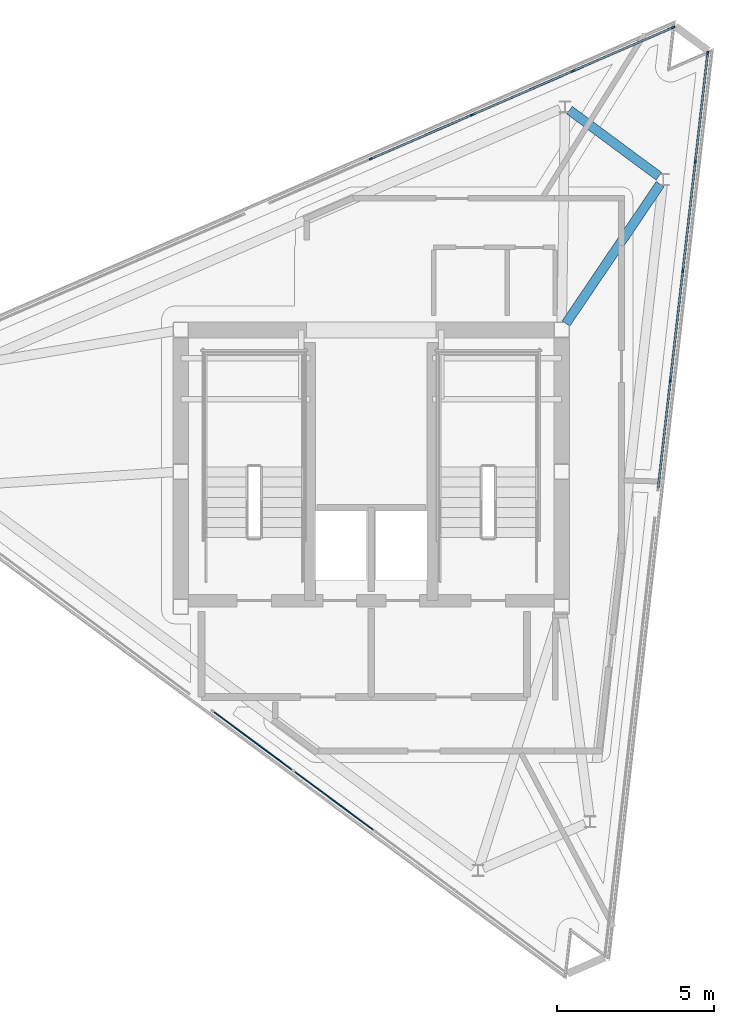
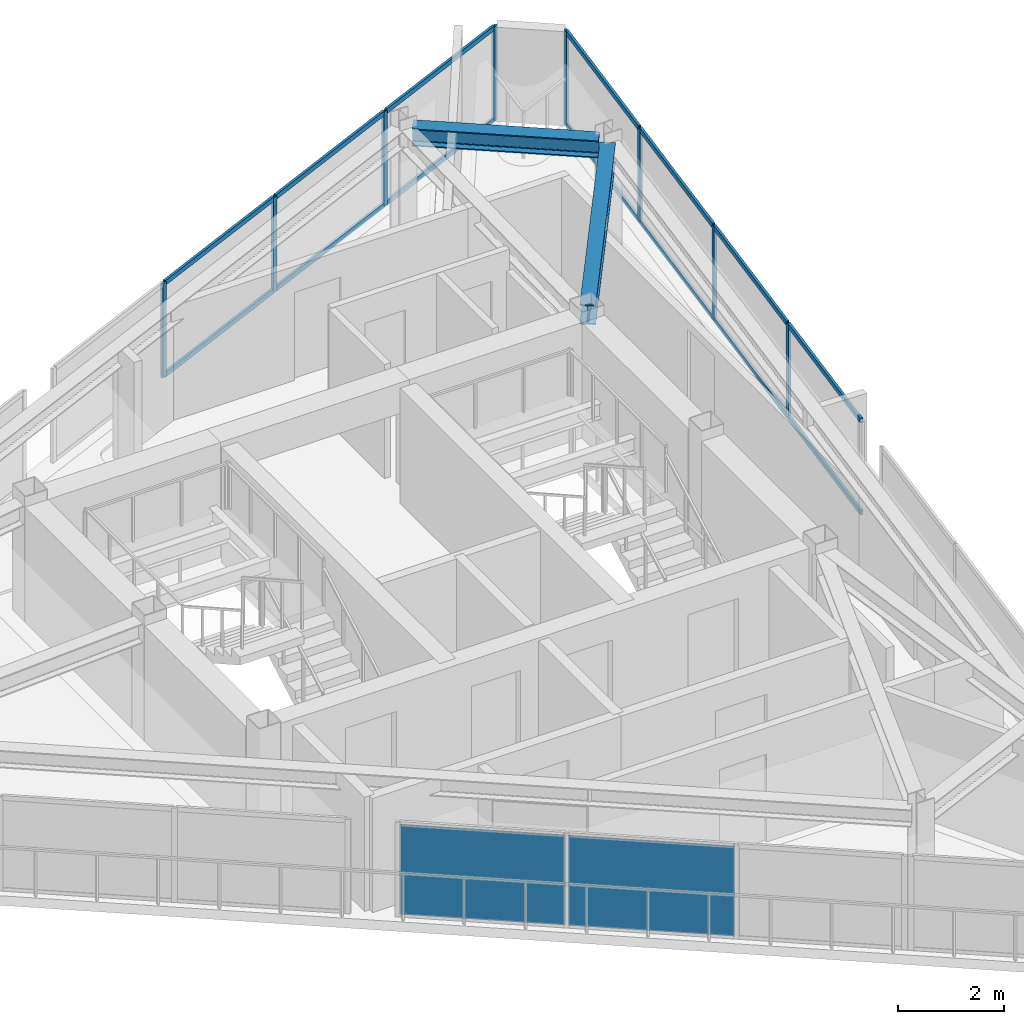
# One storey, part 5 of 10: 22 members, 2 beams, 2 plates, 3 elements without a shape of their own.
"""IFC4 building model written with IfcOpenShell, lengths in metres."""

from ifc_helpers import new_model, si_unit, direction, frame, origin, origin_2d, place, context, subcontext, project, spatial, rectangle, i_section, extrude, material, layer, layer_set, material_profile, profile_set, type_object, element, aggregate, save


model = new_model("IFC4")

# Units and contexts
model_context = context("Model", 3, precision=1e-05, world=origin(), true_north=direction((0.0, 1.0)))
body_context = subcontext(model_context, "Body", "Model", "MODEL_VIEW")
ifc_project = project(units=[si_unit("LENGTHUNIT", "METRE"), si_unit("AREAUNIT", "SQUARE_METRE"), si_unit("VOLUMEUNIT", "CUBIC_METRE"), si_unit("PLANEANGLEUNIT", "RADIAN"), si_unit("MASSUNIT", "GRAM", prefix="KILO")], contexts=[model_context])

# Site, building, storey
site_placement = place(None, origin())
site = spatial("IfcSite", under=ifc_project, at=site_placement, CompositionType="ELEMENT")
building_placement = place(site_placement, origin())
building = spatial("IfcBuilding", under=site, at=building_placement, Name="Rocaltana Carrier Exchange", CompositionType="ELEMENT")
storey_placement = place(building_placement, frame((0.0, 0.0, 252.0)))
storey = spatial("IfcBuildingStorey", under=building, at=storey_placement, Name="L80", CompositionType="ELEMENT", Elevation=252.0)

# Curtain wall, members
ifc_material_1 = material(Name="Aluminium 6063-T6", Category="aluminium")
ifc_layer_1 = layer(ifc_material_1, 0.110107421875)
ifc_layer_set_1 = layer_set([ifc_layer_1], Name="Aluminium 6063-T6")
curtain_wall_type = type_object("IfcCurtainWallType", Name="Crown Lantern Faceted Curtain Wall CW-06", PredefinedType="NOTDEFINED", material=ifc_layer_set_1)
curtain_wall_1_placement = place(storey_placement, origin())
curtain_wall_1 = element("IfcCurtainWall", 1, at=curtain_wall_1_placement, inside=storey, type_object=curtain_wall_type, Name="L80 CW-06 Run CW06-L80-F1S2", PredefinedType="NOTDEFINED")
ifc_material_2 = material(Name="Aluminium 6063-T6", Category="aluminium")
ifc_material_profile_1 = material_profile(ifc_material_2, rectangle(XDim=0.054931640625, YDim=0.110107421875, at=origin_2d()), Name="AL-55X110")
ifc_profile_set_1 = profile_set([ifc_material_profile_1], Name="Aluminium 6063-T6")
member_type_1 = type_object("IfcMemberType", Name="CW-06 Mullion AL-55X110", PredefinedType="MULLION", material=ifc_profile_set_1)
member_1_placement = place(storey_placement, frame((9.50390625, 2.892578125, 0.0), z_axis=(0.0, 0.0, 1.0), x_axis=(-0.99357221167, 0.113200089213, 0.0)))
member_1 = element("IfcMember", 2, at=member_1_placement, type_object=member_type_1, Name="CW-06 mullion 2", PredefinedType="MULLION", context=body_context, shape_type="SweptSolid", body=[
    extrude(rectangle(XDim=0.054931640625, YDim=0.110107421875, at=origin_2d()), origin(), (0.0, 0.0, 1.0), 2.16796875),
])
member_2_placement = place(storey_placement, frame((9.900146484375, 6.3701171875, 0.0), z_axis=(0.0, 0.0, 1.0), x_axis=(-0.99357221167, 0.113200089213, 0.0)))
member_2 = element("IfcMember", 3, at=member_2_placement, type_object=member_type_1, Name="CW-06 mullion 3", PredefinedType="MULLION", context=body_context, shape_type="SweptSolid", body=[
    extrude(rectangle(XDim=0.054931640625, YDim=0.110107421875, at=origin_2d()), origin(), (0.0, 0.0, 1.0), 2.16796875),
])
member_3_placement = place(storey_placement, frame((10.29638671875, 9.84765625, 0.0), z_axis=(0.0, 0.0, 1.0), x_axis=(-0.99357221167, 0.113200089213, 0.0)))
member_3 = element("IfcMember", 4, at=member_3_placement, type_object=member_type_1, Name="CW-06 mullion 4", PredefinedType="MULLION", context=body_context, shape_type="SweptSolid", body=[
    extrude(rectangle(XDim=0.054931640625, YDim=0.110107421875, at=origin_2d()), origin(), (0.0, 0.0, 1.0), 2.16796875),
])
member_4_placement = place(storey_placement, frame((10.689453125, 13.2978515625, 0.0), z_axis=(0.0, 0.0, 1.0), x_axis=(-0.99357221167, 0.113200089213, 0.0)))
member_4 = element("IfcMember", 5, at=member_4_placement, type_object=member_type_1, Name="CW-06 mullion 5", PredefinedType="MULLION", context=body_context, shape_type="SweptSolid", body=[
    extrude(rectangle(XDim=0.054931640625, YDim=0.110107421875, at=origin_2d()), origin(), (0.0, 0.0, 1.0), 2.16796875),
])

curtain_wall_2_placement = place(storey_placement, origin())
curtain_wall_2 = element("IfcCurtainWall", 6, at=curtain_wall_2_placement, inside=storey, type_object=curtain_wall_type, Name="L80 CW-06 Run CW06-L80-F2S1", PredefinedType="NOTDEFINED")
member_5_placement = place(storey_placement, frame((9.591552734375, 14.1103515625, 0.0), z_axis=(0.0, 0.0, 1.0), x_axis=(0.398742304834, -0.917063015466, 0.0)))
member_5 = element("IfcMember", 7, at=member_5_placement, type_object=member_type_1, Name="CW-06 mullion 1", PredefinedType="MULLION", context=body_context, shape_type="SweptSolid", body=[
    extrude(rectangle(XDim=0.054931640625, YDim=0.110107421875, at=origin_2d()), origin(), (0.0, 0.0, 1.0), 2.16796875),
])
member_6_placement = place(storey_placement, frame((6.406982421875, 12.7255859375, 0.0), z_axis=(0.0, 0.0, 1.0), x_axis=(0.398742304834, -0.917063015466, 0.0)))
member_6 = element("IfcMember", 8, at=member_6_placement, type_object=member_type_1, Name="CW-06 mullion 2", PredefinedType="MULLION", context=body_context, shape_type="SweptSolid", body=[
    extrude(rectangle(XDim=0.054931640625, YDim=0.110107421875, at=origin_2d()), origin(), (0.0, 0.0, 1.0), 2.16796875),
])
member_7_placement = place(storey_placement, frame((3.197265625, 11.330078125, 0.0), z_axis=(0.0, 0.0, 1.0), x_axis=(0.398742304834, -0.917063015466, 0.0)))
member_7 = element("IfcMember", 9, at=member_7_placement, type_object=member_type_1, Name="CW-06 mullion 3", PredefinedType="MULLION", context=body_context, shape_type="SweptSolid", body=[
    extrude(rectangle(XDim=0.054931640625, YDim=0.110107421875, at=origin_2d()), origin(), (0.0, 0.0, 1.0), 2.16796875),
])
member_8_placement = place(storey_placement, frame((-0.012451171875, 9.934326171875, 0.0), z_axis=(0.0, 0.0, 1.0), x_axis=(0.398742304834, -0.917063015466, 0.0)))
member_8 = element("IfcMember", 10, at=member_8_placement, type_object=member_type_1, Name="CW-06 mullion 4", PredefinedType="MULLION", context=body_context, shape_type="SweptSolid", body=[
    extrude(rectangle(XDim=0.054931640625, YDim=0.110107421875, at=origin_2d()), origin(), (0.0, 0.0, 1.0), 2.16796875),
])

# Member
ifc_material_3 = material(Name="Aluminium 6063-T6", Category="aluminium")
ifc_material_profile_2 = material_profile(ifc_material_3, rectangle(XDim=0.054931640625, YDim=0.110107421875, at=origin_2d()), Name="AL-55X110")
ifc_profile_set_2 = profile_set([ifc_material_profile_2], Name="Aluminium 6063-T6")
member_type_2 = type_object("IfcMemberType", Name="CW-06 Transom AL-55X110", PredefinedType="USERDEFINED", material=ifc_profile_set_2)
member_9_placement = place(storey_placement, frame((9.114013671875, -0.5302734375, 0.027587890625), z_axis=(0.113151708435, 0.993577722616, 0.0), x_axis=(-0.993577722616, 0.113151708435, 0.0)))
member_9 = element("IfcMember", 11, at=member_9_placement, type_object=member_type_2, Name="CW-06 transom 1.1", ObjectType="TRANSOM", PredefinedType="USERDEFINED", context=body_context, shape_type="SweptSolid", body=[
    extrude(rectangle(XDim=0.054931640625, YDim=0.110107421875, at=origin_2d()), origin(), (0.0, 0.0, 1.0), 3.417724609375),
])

member_10_placement = place(storey_placement, frame((9.114013671875, -0.5302734375, 2.140380859375), z_axis=(0.113151708435, 0.993577722616, 0.0), x_axis=(-0.993577722616, 0.113151708435, 0.0)))
member_10 = element("IfcMember", 12, at=member_10_placement, type_object=member_type_2, Name="CW-06 transom 1.2", ObjectType="TRANSOM", PredefinedType="USERDEFINED", context=body_context, shape_type="SweptSolid", body=[
    extrude(rectangle(XDim=0.054931640625, YDim=0.110107421875, at=origin_2d()), origin(), (0.0, 0.0, 1.0), 3.417724609375),
])

member_11_placement = place(storey_placement, frame((9.507080078125, 2.919921875, 0.027587890625), z_axis=(0.113176822748, 0.993574862198, 0.0), x_axis=(-0.993574862198, 0.113176822748, 0.0)))
member_11 = element("IfcMember", 13, at=member_11_placement, type_object=member_type_2, Name="CW-06 transom 2.1", ObjectType="TRANSOM", PredefinedType="USERDEFINED", context=body_context, shape_type="SweptSolid", body=[
    extrude(rectangle(XDim=0.054931640625, YDim=0.110107421875, at=origin_2d()), origin(), (0.0, 0.0, 1.0), 3.445068359375),
])

member_12_placement = place(storey_placement, frame((9.507080078125, 2.919921875, 2.140380859375), z_axis=(0.113176822748, 0.993574862198, 0.0), x_axis=(-0.993574862198, 0.113176822748, 0.0)))
member_12 = element("IfcMember", 14, at=member_12_placement, type_object=member_type_2, Name="CW-06 transom 2.2", ObjectType="TRANSOM", PredefinedType="USERDEFINED", context=body_context, shape_type="SweptSolid", body=[
    extrude(rectangle(XDim=0.054931640625, YDim=0.110107421875, at=origin_2d()), origin(), (0.0, 0.0, 1.0), 3.445068359375),
])

member_13_placement = place(storey_placement, frame((9.9033203125, 6.3974609375, 0.027587890625), z_axis=(0.113176822748, 0.993574862198, 0.0), x_axis=(-0.993574862198, 0.113176822748, 0.0)))
member_13 = element("IfcMember", 15, at=member_13_placement, type_object=member_type_2, Name="CW-06 transom 3.1", ObjectType="TRANSOM", PredefinedType="USERDEFINED", context=body_context, shape_type="SweptSolid", body=[
    extrude(rectangle(XDim=0.054931640625, YDim=0.110107421875, at=origin_2d()), origin(), (0.0, 0.0, 1.0), 3.445068359375),
])

member_14_placement = place(storey_placement, frame((9.9033203125, 6.3974609375, 2.140380859375), z_axis=(0.113176822748, 0.993574862198, 0.0), x_axis=(-0.993574862198, 0.113176822748, 0.0)))
member_14 = element("IfcMember", 16, at=member_14_placement, type_object=member_type_2, Name="CW-06 transom 3.2", ObjectType="TRANSOM", PredefinedType="USERDEFINED", context=body_context, shape_type="SweptSolid", body=[
    extrude(rectangle(XDim=0.054931640625, YDim=0.110107421875, at=origin_2d()), origin(), (0.0, 0.0, 1.0), 3.445068359375),
])

member_15_placement = place(storey_placement, frame((10.29931640625, 9.875, 0.027587890625), z_axis=(0.113230263574, 0.993568773367, 0.0), x_axis=(-0.993568773367, 0.113230263574, 0.0)))
member_15 = element("IfcMember", 17, at=member_15_placement, type_object=member_type_2, Name="CW-06 transom 4.1", ObjectType="TRANSOM", PredefinedType="USERDEFINED", context=body_context, shape_type="SweptSolid", body=[
    extrude(rectangle(XDim=0.054931640625, YDim=0.110107421875, at=origin_2d()), origin(), (0.0, 0.0, 1.0), 3.41748046875),
])

member_16_placement = place(storey_placement, frame((10.29931640625, 9.875, 2.140380859375), z_axis=(0.113230263574, 0.993568773367, 0.0), x_axis=(-0.993568773367, 0.113230263574, 0.0)))
member_16 = element("IfcMember", 18, at=member_16_placement, type_object=member_type_2, Name="CW-06 transom 4.2", ObjectType="TRANSOM", PredefinedType="USERDEFINED", context=body_context, shape_type="SweptSolid", body=[
    extrude(rectangle(XDim=0.054931640625, YDim=0.110107421875, at=origin_2d()), origin(), (0.0, 0.0, 1.0), 3.41748046875),
])

aggregate(curtain_wall_1, [member_1, member_2, member_3, member_4, member_9, member_10, member_11, member_12, member_13, member_14, member_15, member_16])

member_17_placement = place(storey_placement, frame((9.56640625, 14.099365234375, 0.027587890625), z_axis=(-0.917051883427, -0.398767906309, 0.0), x_axis=(0.398767906309, -0.917051883427, 0.0)))
member_17 = element("IfcMember", 19, at=member_17_placement, type_object=member_type_2, Name="CW-06 transom 1.1", ObjectType="TRANSOM", PredefinedType="USERDEFINED", context=body_context, shape_type="SweptSolid", body=[
    extrude(rectangle(XDim=0.054931640625, YDim=0.110107421875, at=origin_2d()), origin(), (0.0, 0.0, 1.0), 3.41748046875),
])

member_18_placement = place(storey_placement, frame((9.56640625, 14.099365234375, 2.140380859375), z_axis=(-0.917051883427, -0.398767906309, 0.0), x_axis=(0.398767906309, -0.917051883427, 0.0)))
member_18 = element("IfcMember", 20, at=member_18_placement, type_object=member_type_2, Name="CW-06 transom 1.2", ObjectType="TRANSOM", PredefinedType="USERDEFINED", context=body_context, shape_type="SweptSolid", body=[
    extrude(rectangle(XDim=0.054931640625, YDim=0.110107421875, at=origin_2d()), origin(), (0.0, 0.0, 1.0), 3.41748046875),
])

member_19_placement = place(storey_placement, frame((6.3818359375, 12.714599609375, 0.027587890625), z_axis=(-0.917072309692, -0.398720928464, 0.0), x_axis=(0.398720928464, -0.917072309692, 0.0)))
member_19 = element("IfcMember", 21, at=member_19_placement, type_object=member_type_2, Name="CW-06 transom 2.1", ObjectType="TRANSOM", PredefinedType="USERDEFINED", context=body_context, shape_type="SweptSolid", body=[
    extrude(rectangle(XDim=0.054931640625, YDim=0.110107421875, at=origin_2d()), origin(), (0.0, 0.0, 1.0), 3.44482421875),
])

member_20_placement = place(storey_placement, frame((6.3818359375, 12.714599609375, 2.140380859375), z_axis=(-0.917072309692, -0.398720928464, 0.0), x_axis=(0.398720928464, -0.917072309692, 0.0)))
member_20 = element("IfcMember", 22, at=member_20_placement, type_object=member_type_2, Name="CW-06 transom 2.2", ObjectType="TRANSOM", PredefinedType="USERDEFINED", context=body_context, shape_type="SweptSolid", body=[
    extrude(rectangle(XDim=0.054931640625, YDim=0.110107421875, at=origin_2d()), origin(), (0.0, 0.0, 1.0), 3.44482421875),
])

member_21_placement = place(storey_placement, frame((3.172119140625, 11.319091796875, 0.027587890625), z_axis=(-0.917046394043, -0.398780530083, 0.0), x_axis=(0.398780530083, -0.917046394043, 0.0)))
member_21 = element("IfcMember", 23, at=member_21_placement, type_object=member_type_2, Name="CW-06 transom 3.1", ObjectType="TRANSOM", PredefinedType="USERDEFINED", context=body_context, shape_type="SweptSolid", body=[
    extrude(rectangle(XDim=0.054931640625, YDim=0.110107421875, at=origin_2d()), origin(), (0.0, 0.0, 1.0), 3.445068359375),
])

member_22_placement = place(storey_placement, frame((3.172119140625, 11.319091796875, 2.140380859375), z_axis=(-0.917046394043, -0.398780530083, 0.0), x_axis=(0.398780530083, -0.917046394043, 0.0)))
member_22 = element("IfcMember", 24, at=member_22_placement, type_object=member_type_2, Name="CW-06 transom 3.2", ObjectType="TRANSOM", PredefinedType="USERDEFINED", context=body_context, shape_type="SweptSolid", body=[
    extrude(rectangle(XDim=0.054931640625, YDim=0.110107421875, at=origin_2d()), origin(), (0.0, 0.0, 1.0), 3.445068359375),
])

aggregate(curtain_wall_2, [member_5, member_6, member_7, member_8, member_17, member_18, member_19, member_20, member_21, member_22])

# Beams
ifc_material_4 = material(Name="Steel S460", Category="steel")
ifc_material_profile_3 = material_profile(ifc_material_4, i_section(OverallWidth=0.300048828125, OverallDepth=0.449951171875, WebThickness=0.013916015625, FlangeThickness=0.02587890625, FilletRadius=0.027099609375, at=origin_2d()), Name="HEB450")
ifc_profile_set_3 = profile_set([ifc_material_profile_3], Name="Steel S460")
beam_type_1 = type_object("IfcBeamType", Name="Crown Frame Rafter HEB450", PredefinedType="BEAM", material=ifc_profile_set_3)
beam_1_placement = place(storey_placement, frame((6.185546875, 4.700439453125, 2.423095703125), z_axis=(0.55981845745, 0.828615287512, 0.0), x_axis=(-0.828615287512, 0.55981845745, 0.0)))
element("IfcBeam", 25, at=beam_1_placement, inside=storey, type_object=beam_type_1, Name="CRG-RAD-L80-02", PredefinedType="BEAM", context=body_context, shape_type="SweptSolid", body=[
    extrude(i_section(OverallWidth=0.300048828125, OverallDepth=0.449951171875, WebThickness=0.013916015625, FlangeThickness=0.02587890625, FilletRadius=0.027099609375, at=origin_2d()), origin(), (0.0, 0.0, 1.0), 5.349609375),
])
ifc_material_5 = material(Name="Steel S460", Category="steel")
ifc_material_profile_4 = material_profile(ifc_material_5, i_section(OverallWidth=0.300048828125, OverallDepth=0.39990234375, WebThickness=0.013427734375, FlangeThickness=0.02392578125, FilletRadius=0.027099609375, at=origin_2d()), Name="HEB400")
ifc_profile_set_4 = profile_set([ifc_material_profile_4], Name="Steel S460")
beam_type_2 = type_object("IfcBeamType", Name="Crown Ring Beam HEB400", PredefinedType="BEAM", material=ifc_profile_set_4)
beam_2_placement = place(storey_placement, frame((9.137939453125, 9.380859375, 2.447998046875), z_axis=(-0.803841238044, 0.594843898867, 0.0), x_axis=(-0.594843898867, -0.803841238044, 0.0)))
element("IfcBeam", 26, at=beam_2_placement, inside=storey, type_object=beam_type_2, Name="CRG-RING-L80-02", PredefinedType="BEAM", context=body_context, shape_type="SweptSolid", body=[
    extrude(i_section(OverallWidth=0.300048828125, OverallDepth=0.39990234375, WebThickness=0.013427734375, FlangeThickness=0.02392578125, FilletRadius=0.027099609375, at=origin_2d()), origin(), (0.0, 0.0, 1.0), 3.53125),
])

# Curtain wall, plates
curtain_wall_3_placement = place(storey_placement, origin())
curtain_wall_3 = element("IfcCurtainWall", 27, at=curtain_wall_3_placement, inside=storey, type_object=curtain_wall_type, Name="L80 CW-06 Run CW06-L80-F3S2-S1", PredefinedType="NOTDEFINED")
ifc_material_6 = material(Name="Tempered Laminated Glass", Category="glass")
ifc_layer_2 = layer(ifc_material_6, 0.033935546875)
ifc_layer_set_2 = layer_set([ifc_layer_2], Name="Tempered Laminated Glass")
plate_type = type_object("IfcPlateType", Name="CW-06 Stone-Insulated Vision Panel", PredefinedType="CURTAIN_PANEL", material=ifc_layer_set_2)
plate_1_placement = place(storey_placement, frame((-3.756591796875, -8.559814453125, 0.054931640625), z_axis=(0.0, 0.0, 1.0), x_axis=(0.803855081578, -0.594825190977, 0.0)))
plate_1 = element("IfcPlate", 28, at=plate_1_placement, type_object=plate_type, Name="CW-06 panel 1.1", PredefinedType="CURTAIN_PANEL", context=body_context, shape_type="SweptSolid", body=[
    extrude(rectangle(XDim=3.133544921875, YDim=0.033935546875, at=origin_2d()), origin(), (0.0, 0.0, 1.0), 2.05810546875),
])
plate_2_placement = place(storey_placement, frame((-1.182373046875, -10.464599609375, 0.054931640625), z_axis=(0.0, 0.0, 1.0), x_axis=(0.803855081578, -0.594825190977, 0.0)))
plate_2 = element("IfcPlate", 29, at=plate_2_placement, type_object=plate_type, Name="CW-06 panel 2.1", PredefinedType="CURTAIN_PANEL", context=body_context, shape_type="SweptSolid", body=[
    extrude(rectangle(XDim=3.1611328125, YDim=0.033935546875, at=origin_2d()), origin(), (0.0, 0.0, 1.0), 2.05810546875),
])
aggregate(curtain_wall_3, [plate_1, plate_2])

save(model, "model.ifc")
